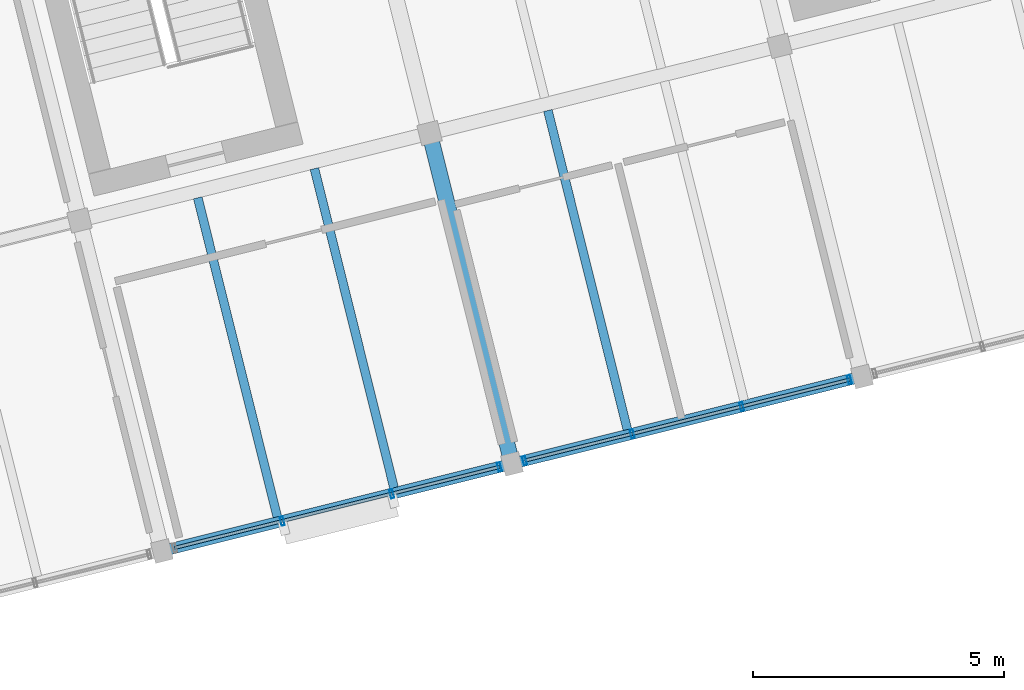
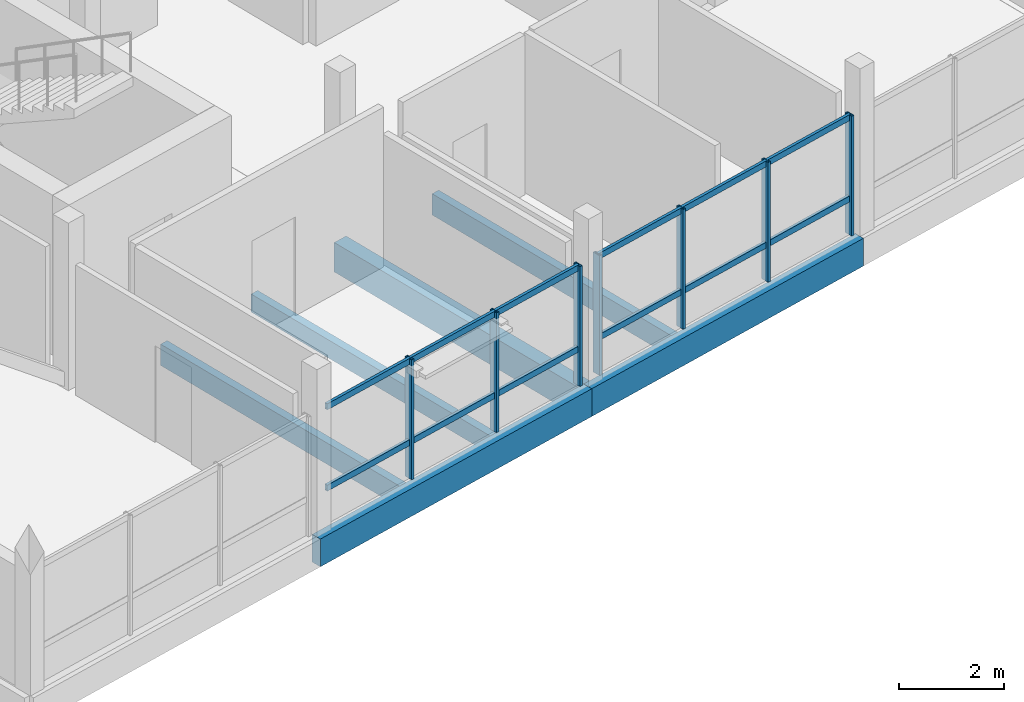
# One storey, part 4 of 27: 19 members, 6 beams, 2 elements without a shape of their own.
"""IFC4 building model written with IfcOpenShell, lengths in metres."""

from ifc_helpers import new_model, si_unit, direction, frame, origin, origin_2d, place, context, subcontext, project, spatial, rectangle, hollow_rectangle, extrude, material, layer, layer_set, material_profile, profile_set, type_object, element, aggregate, save


model = new_model("IFC4")

# Units and contexts
model_context = context("Model", 3, precision=1e-05, world=origin(), true_north=direction((0.0, 1.0)))
body_context = subcontext(model_context, "Body", "Model", "MODEL_VIEW")
ifc_project = project(units=[si_unit("LENGTHUNIT", "METRE"), si_unit("AREAUNIT", "SQUARE_METRE"), si_unit("VOLUMEUNIT", "CUBIC_METRE"), si_unit("PLANEANGLEUNIT", "RADIAN"), si_unit("MASSUNIT", "GRAM", prefix="KILO")], contexts=[model_context])

# Site, building, storey
site_placement = place(None, origin())
site = spatial("IfcSite", under=ifc_project, at=site_placement, CompositionType="ELEMENT")
building_placement = place(site_placement, origin())
building = spatial("IfcBuilding", under=site, at=building_placement, Name="Meriwether Solvik Hall", CompositionType="ELEMENT")
storey_placement = place(building_placement, frame((0.0, 0.0, 33.89990234375)))
storey = spatial("IfcBuildingStorey", under=building, at=storey_placement, Name="L08", CompositionType="ELEMENT", Elevation=33.89990234375)

# Beams
ifc_material_1 = material(Name="Glulam Douglas-Fir 24F-V8 GL28h", Category="wood")
ifc_material_profile_1 = material_profile(ifc_material_1, rectangle(XDim=0.221923828125, YDim=0.64501953125, at=origin_2d()), Name="GLB-222X645")
ifc_profile_set_1 = profile_set([ifc_material_profile_1], Name="Glulam Douglas-Fir 24F-V8 GL28h")
beam_type_1 = type_object("IfcBeamType", Name="BM-GL-222X645", PredefinedType="SPANDREL", material=ifc_profile_set_1)
for number, where, z_axis, x_axis, name in (
    (1, (75.974365234375, 43.03857421875, -0.50244140625), (0.970291911955, 0.241937193493, 0.0), (-0.241937193493, 0.970291911955, 0.0), "Tower Girder TA:T2-T3 (L08)"),
    (2, (82.96044921875, 44.780517578125, -0.50244140625), (0.970299871507, 0.241905269381, 0.0), (-0.241905269381, 0.970299871507, 0.0), "Tower Girder TA:T3-T4 (L08)"),
):
    element("IfcBeam", number, at=place(storey_placement, frame(where, z_axis=z_axis, x_axis=x_axis)), inside=storey, type_object=beam_type_1, Name=name, PredefinedType="SPANDREL", context=body_context, shape_type="SweptSolid", body=[
        extrude(rectangle(XDim=0.221923828125, YDim=0.64501953125, at=origin_2d()), origin(), (0.0, 0.0, 1.0), 7.199951171875),
    ])
ifc_material_2 = material(Name="Glulam Douglas-Fir 24F-V8 GL28h", Category="wood")
ifc_material_profile_2 = material_profile(ifc_material_2, rectangle(XDim=0.31494140625, YDim=0.68505859375, at=origin_2d()), Name="GLB-315X685")
ifc_profile_set_2 = profile_set([ifc_material_profile_2], Name="Glulam Douglas-Fir 24F-V8 GL28h")
beam_type_2 = type_object("IfcBeamType", Name="BM-GL-315X685", PredefinedType="BEAM", material=ifc_profile_set_2)
beam_1_placement = place(storey_placement, frame((82.96044921875, 44.780517578125, -0.5224609375), z_axis=(-0.241918877831, 0.970296478685, 0.0), x_axis=(-0.970296478685, -0.241918877831, 0.0)))
element("IfcBeam", 3, at=beam_1_placement, inside=storey, type_object=beam_type_2, Name="Tower Girder T3:TA-TB (L08)", PredefinedType="BEAM", context=body_context, shape_type="SweptSolid", body=[
    extrude(rectangle(XDim=0.31494140625, YDim=0.68505859375, at=origin_2d()), origin(), (0.0, 0.0, 1.0), 6.7998046875),
])

# Curtain wall, members
ifc_material_3 = material(Name="Thermally Broken Anodised Aluminium 6063-T6 and Low-E Glass", Category="aluminium")
ifc_layer_1 = layer(ifc_material_3, 0.179931640625)
ifc_layer_set_1 = layer_set([ifc_layer_1], Name="Thermally Broken Anodised Aluminium 6063-T6 and Low-E Glass")
curtain_wall_type_1 = type_object("IfcCurtainWallType", Name="CW-UNIT-G", PredefinedType="USERDEFINED", material=ifc_layer_set_1)
curtain_wall_1_placement = place(storey_placement, origin())
curtain_wall_1 = element("IfcCurtainWall", 4, at=curtain_wall_1_placement, inside=storey, type_object=curtain_wall_type_1, Name="Curtain Wall E0_B1 (L08)", ObjectType="UNITISED CURTAIN WALL", PredefinedType="USERDEFINED")
ifc_material_4 = material(Name="Anodised Aluminium 6063-T6", Category="aluminium")
ifc_material_profile_3 = material_profile(ifc_material_4, hollow_rectangle(XDim=0.06494140625, YDim=0.179931640625, WallThickness=0.00439453125, at=origin_2d()), Name="CWM-65X180")
ifc_profile_set_3 = profile_set([ifc_material_profile_3], Name="Anodised Aluminium 6063-T6")
member_type_1 = type_object("IfcMemberType", Name="CW-MUL-65X180", PredefinedType="MULLION", material=ifc_profile_set_3)
member_1_placement = place(storey_placement, frame((82.7080078125, 44.717529296875, 0.0), z_axis=(0.0, 0.0, 1.0), x_axis=(-0.970295738259, -0.241921847539, 0.0)))
member_1 = element("IfcMember", 5, at=member_1_placement, type_object=member_type_1, Name="Curtain Wall Mullion 1", PredefinedType="MULLION", context=body_context, shape_type="SweptSolid", body=[
    extrude(hollow_rectangle(XDim=0.06494140625, YDim=0.179931640625, WallThickness=0.00439453125, at=origin_2d()), origin(), (0.0, 0.0, 1.0), 2.7900390625),
])
member_2_placement = place(storey_placement, frame((80.559814453125, 44.181884765625, 0.0), z_axis=(0.0, 0.0, 1.0), x_axis=(-0.970295738259, -0.241921847539, 0.0)))
member_2 = element("IfcMember", 6, at=member_2_placement, type_object=member_type_1, Name="Curtain Wall Mullion 2", PredefinedType="MULLION", context=body_context, shape_type="SweptSolid", body=[
    extrude(hollow_rectangle(XDim=0.06494140625, YDim=0.179931640625, WallThickness=0.00439453125, at=origin_2d()), origin(), (0.0, 0.0, 1.0), 2.7900390625),
])
member_3_placement = place(storey_placement, frame((78.374755859375, 43.63720703125, 0.0), z_axis=(0.0, 0.0, 1.0), x_axis=(-0.970295738259, -0.241921847539, 0.0)))
member_3 = element("IfcMember", 7, at=member_3_placement, type_object=member_type_1, Name="Curtain Wall Mullion 3", PredefinedType="MULLION", context=body_context, shape_type="SweptSolid", body=[
    extrude(hollow_rectangle(XDim=0.06494140625, YDim=0.179931640625, WallThickness=0.00439453125, at=origin_2d()), origin(), (0.0, 0.0, 1.0), 2.7900390625),
])

ifc_material_5 = material(Name="Thermally Broken Anodised Aluminium 6063-T6 and Low-E Glass", Category="aluminium")
ifc_layer_2 = layer(ifc_material_5, 0.179931640625)
ifc_layer_set_2 = layer_set([ifc_layer_2], Name="Thermally Broken Anodised Aluminium 6063-T6 and Low-E Glass")
curtain_wall_type_2 = type_object("IfcCurtainWallType", Name="CW-UNIT-A", PredefinedType="USERDEFINED", material=ifc_layer_set_2)
curtain_wall_2_placement = place(storey_placement, origin())
curtain_wall_2 = element("IfcCurtainWall", 8, at=curtain_wall_2_placement, inside=storey, type_object=curtain_wall_type_2, Name="Curtain Wall E0_B2 (L08)", ObjectType="UNITISED CURTAIN WALL", PredefinedType="USERDEFINED")
member_4_placement = place(storey_placement, frame((89.6943359375, 46.45947265625, 0.0), z_axis=(0.0, 0.0, 1.0), x_axis=(-0.970295738259, -0.241921847539, 0.0)))
member_4 = element("IfcMember", 9, at=member_4_placement, type_object=member_type_1, Name="Curtain Wall Mullion 1", PredefinedType="MULLION", context=body_context, shape_type="SweptSolid", body=[
    extrude(hollow_rectangle(XDim=0.06494140625, YDim=0.179931640625, WallThickness=0.00439453125, at=origin_2d()), origin(), (0.0, 0.0, 1.0), 2.7900390625),
])
member_5_placement = place(storey_placement, frame((87.5458984375, 45.923828125, 0.0), z_axis=(0.0, 0.0, 1.0), x_axis=(-0.970295738259, -0.241921847539, 0.0)))
member_5 = element("IfcMember", 10, at=member_5_placement, type_object=member_type_1, Name="Curtain Wall Mullion 2", PredefinedType="MULLION", context=body_context, shape_type="SweptSolid", body=[
    extrude(hollow_rectangle(XDim=0.06494140625, YDim=0.179931640625, WallThickness=0.00439453125, at=origin_2d()), origin(), (0.0, 0.0, 1.0), 2.7900390625),
])
member_6_placement = place(storey_placement, frame((85.36083984375, 45.37890625, 0.0), z_axis=(0.0, 0.0, 1.0), x_axis=(-0.970295738259, -0.241921847539, 0.0)))
member_6 = element("IfcMember", 11, at=member_6_placement, type_object=member_type_1, Name="Curtain Wall Mullion 3", PredefinedType="MULLION", context=body_context, shape_type="SweptSolid", body=[
    extrude(hollow_rectangle(XDim=0.06494140625, YDim=0.179931640625, WallThickness=0.00439453125, at=origin_2d()), origin(), (0.0, 0.0, 1.0), 2.7900390625),
])
member_7_placement = place(storey_placement, frame((83.212646484375, 44.84326171875, 0.0), z_axis=(0.0, 0.0, 1.0), x_axis=(-0.970295738259, -0.241921847539, 0.0)))
member_7 = element("IfcMember", 12, at=member_7_placement, type_object=member_type_1, Name="Curtain Wall Mullion 4", PredefinedType="MULLION", context=body_context, shape_type="SweptSolid", body=[
    extrude(hollow_rectangle(XDim=0.06494140625, YDim=0.179931640625, WallThickness=0.00439453125, at=origin_2d()), origin(), (0.0, 0.0, 1.0), 2.7900390625),
])

# Member
ifc_material_6 = material(Name="Anodised Aluminium 6063-T6", Category="aluminium")
ifc_material_profile_4 = material_profile(ifc_material_6, hollow_rectangle(XDim=0.06494140625, YDim=0.139892578125, WallThickness=0.00439453125, at=origin_2d()), Name="CWT-65X140")
ifc_profile_set_4 = profile_set([ifc_material_profile_4], Name="Anodised Aluminium 6063-T6")
member_type_2 = type_object("IfcMemberType", Name="CW-TRN-65X140", PredefinedType="USERDEFINED", material=ifc_profile_set_4)
member_8_placement = place(storey_placement, frame((82.7080078125, 44.717529296875, 0.837158203125), z_axis=(-0.970291509385, -0.241938808, 0.0), x_axis=(0.241938808, -0.970291509385, 0.0)))
member_8 = element("IfcMember", 13, at=member_8_placement, type_object=member_type_2, Name="Curtain Wall Transom 1-sill", ObjectType="TRANSOM", PredefinedType="USERDEFINED", context=body_context, shape_type="SweptSolid", body=[
    extrude(hollow_rectangle(XDim=0.06494140625, YDim=0.139892578125, WallThickness=0.00439453125, at=origin_2d()), origin(), (0.0, 0.0, 1.0), 2.2138671875),
])

member_9_placement = place(storey_placement, frame((82.7080078125, 44.717529296875, 2.72998046875), z_axis=(-0.970291509385, -0.241938808, 0.0), x_axis=(0.241938808, -0.970291509385, 0.0)))
member_9 = element("IfcMember", 14, at=member_9_placement, type_object=member_type_2, Name="Curtain Wall Transom 1-head", ObjectType="TRANSOM", PredefinedType="USERDEFINED", context=body_context, shape_type="SweptSolid", body=[
    extrude(hollow_rectangle(XDim=0.06494140625, YDim=0.139892578125, WallThickness=0.00439453125, at=origin_2d()), origin(), (0.0, 0.0, 1.0), 2.2138671875),
])

member_10_placement = place(storey_placement, frame((80.559814453125, 44.181884765625, 0.837158203125), z_axis=(-0.970308083555, -0.241872327867, 0.0), x_axis=(0.241872327867, -0.970308083555, 0.0)))
member_10 = element("IfcMember", 15, at=member_10_placement, type_object=member_type_2, Name="Curtain Wall Transom 2-sill", ObjectType="TRANSOM", PredefinedType="USERDEFINED", context=body_context, shape_type="SweptSolid", body=[
    extrude(hollow_rectangle(XDim=0.06494140625, YDim=0.139892578125, WallThickness=0.00439453125, at=origin_2d()), origin(), (0.0, 0.0, 1.0), 2.251953125),
])

member_11_placement = place(storey_placement, frame((80.559814453125, 44.181884765625, 2.72998046875), z_axis=(-0.970308083555, -0.241872327867, 0.0), x_axis=(0.241872327867, -0.970308083555, 0.0)))
member_11 = element("IfcMember", 16, at=member_11_placement, type_object=member_type_2, Name="Curtain Wall Transom 2-head", ObjectType="TRANSOM", PredefinedType="USERDEFINED", context=body_context, shape_type="SweptSolid", body=[
    extrude(hollow_rectangle(XDim=0.06494140625, YDim=0.139892578125, WallThickness=0.00439453125, at=origin_2d()), origin(), (0.0, 0.0, 1.0), 2.251953125),
])

member_12_placement = place(storey_placement, frame((78.374755859375, 43.63720703125, 0.837158203125), z_axis=(-0.970291509385, -0.241938808, 0.0), x_axis=(0.241938808, -0.970291509385, 0.0)))
member_12 = element("IfcMember", 17, at=member_12_placement, type_object=member_type_2, Name="Curtain Wall Transom 3-sill", ObjectType="TRANSOM", PredefinedType="USERDEFINED", context=body_context, shape_type="SweptSolid", body=[
    extrude(hollow_rectangle(XDim=0.06494140625, YDim=0.139892578125, WallThickness=0.00439453125, at=origin_2d()), origin(), (0.0, 0.0, 1.0), 2.2138671875),
])

member_13_placement = place(storey_placement, frame((78.374755859375, 43.63720703125, 2.72998046875), z_axis=(-0.970291509385, -0.241938808, 0.0), x_axis=(0.241938808, -0.970291509385, 0.0)))
member_13 = element("IfcMember", 18, at=member_13_placement, type_object=member_type_2, Name="Curtain Wall Transom 3-head", ObjectType="TRANSOM", PredefinedType="USERDEFINED", context=body_context, shape_type="SweptSolid", body=[
    extrude(hollow_rectangle(XDim=0.06494140625, YDim=0.139892578125, WallThickness=0.00439453125, at=origin_2d()), origin(), (0.0, 0.0, 1.0), 2.2138671875),
])

aggregate(curtain_wall_1, [member_1, member_2, member_3, member_8, member_9, member_10, member_11, member_12, member_13])

member_14_placement = place(storey_placement, frame((89.6943359375, 46.45947265625, 0.837158203125), z_axis=(-0.970297963107, -0.241912923984, 0.0), x_axis=(0.241912923984, -0.970297963107, 0.0)))
member_14 = element("IfcMember", 19, at=member_14_placement, type_object=member_type_2, Name="Curtain Wall Transom 1-sill", ObjectType="TRANSOM", PredefinedType="USERDEFINED", context=body_context, shape_type="SweptSolid", body=[
    extrude(hollow_rectangle(XDim=0.06494140625, YDim=0.139892578125, WallThickness=0.00439453125, at=origin_2d()), origin(), (0.0, 0.0, 1.0), 2.214111328125),
])

member_15_placement = place(storey_placement, frame((89.6943359375, 46.45947265625, 2.72998046875), z_axis=(-0.970297963107, -0.241912923984, 0.0), x_axis=(0.241912923984, -0.970297963107, 0.0)))
member_15 = element("IfcMember", 20, at=member_15_placement, type_object=member_type_2, Name="Curtain Wall Transom 1-head", ObjectType="TRANSOM", PredefinedType="USERDEFINED", context=body_context, shape_type="SweptSolid", body=[
    extrude(hollow_rectangle(XDim=0.06494140625, YDim=0.139892578125, WallThickness=0.00439453125, at=origin_2d()), origin(), (0.0, 0.0, 1.0), 2.214111328125),
])

member_16_placement = place(storey_placement, frame((87.5458984375, 45.923828125, 0.837158203125), z_axis=(-0.970282635026, -0.241974395685, 0.0), x_axis=(0.241974395685, -0.970282635026, 0.0)))
member_16 = element("IfcMember", 21, at=member_16_placement, type_object=member_type_2, Name="Curtain Wall Transom 2-sill", ObjectType="TRANSOM", PredefinedType="USERDEFINED", context=body_context, shape_type="SweptSolid", body=[
    extrude(hollow_rectangle(XDim=0.06494140625, YDim=0.139892578125, WallThickness=0.00439453125, at=origin_2d()), origin(), (0.0, 0.0, 1.0), 2.251953125),
])

member_17_placement = place(storey_placement, frame((87.5458984375, 45.923828125, 2.72998046875), z_axis=(-0.970282635026, -0.241974395685, 0.0), x_axis=(0.241974395685, -0.970282635026, 0.0)))
member_17 = element("IfcMember", 22, at=member_17_placement, type_object=member_type_2, Name="Curtain Wall Transom 2-head", ObjectType="TRANSOM", PredefinedType="USERDEFINED", context=body_context, shape_type="SweptSolid", body=[
    extrude(hollow_rectangle(XDim=0.06494140625, YDim=0.139892578125, WallThickness=0.00439453125, at=origin_2d()), origin(), (0.0, 0.0, 1.0), 2.251953125),
])

member_18_placement = place(storey_placement, frame((85.36083984375, 45.37890625, 0.837158203125), z_axis=(-0.970291509385, -0.241938808, 0.0), x_axis=(0.241938808, -0.970291509385, 0.0)))
member_18 = element("IfcMember", 23, at=member_18_placement, type_object=member_type_2, Name="Curtain Wall Transom 3-sill", ObjectType="TRANSOM", PredefinedType="USERDEFINED", context=body_context, shape_type="SweptSolid", body=[
    extrude(hollow_rectangle(XDim=0.06494140625, YDim=0.139892578125, WallThickness=0.00439453125, at=origin_2d()), origin(), (0.0, 0.0, 1.0), 2.2138671875),
])

member_19_placement = place(storey_placement, frame((85.36083984375, 45.37890625, 2.72998046875), z_axis=(-0.970291509385, -0.241938808, 0.0), x_axis=(0.241938808, -0.970291509385, 0.0)))
member_19 = element("IfcMember", 24, at=member_19_placement, type_object=member_type_2, Name="Curtain Wall Transom 3-head", ObjectType="TRANSOM", PredefinedType="USERDEFINED", context=body_context, shape_type="SweptSolid", body=[
    extrude(hollow_rectangle(XDim=0.06494140625, YDim=0.139892578125, WallThickness=0.00439453125, at=origin_2d()), origin(), (0.0, 0.0, 1.0), 2.2138671875),
])

aggregate(curtain_wall_2, [member_4, member_5, member_6, member_7, member_14, member_15, member_16, member_17, member_18, member_19])

# Beams
ifc_material_7 = material(Name="Glulam Douglas-Fir 24F-V8 GL28h", Category="wood")
ifc_material_profile_5 = material_profile(ifc_material_7, rectangle(XDim=0.175048828125, YDim=0.419921875, at=origin_2d()), Name="GLJ-175X420")
ifc_profile_set_5 = profile_set([ifc_material_profile_5], Name="Glulam Douglas-Fir 24F-V8 GL28h")
beam_type_3 = type_object("IfcBeamType", Name="JST-GL-175X420", PredefinedType="JOIST", material=ifc_profile_set_5)
beam_2_placement = place(storey_placement, frame((80.60595703125, 44.302734375, -0.389892578125), z_axis=(-0.241931575219, 0.970293312824, 0.0), x_axis=(-0.970293312824, -0.241931575219, 0.0)))
element("IfcBeam", 25, at=beam_2_placement, inside=storey, type_object=beam_type_3, Name="Glulam Floor Joist T2/TA-J2 (L08)", PredefinedType="JOIST", context=body_context, shape_type="SweptSolid", body=[
    extrude(rectangle(XDim=0.175048828125, YDim=0.419921875, at=origin_2d()), origin(), (0.0, 0.0, 1.0), 6.5625),
])
ifc_material_8 = material(Name="Glulam Douglas-Fir 24F-V8 GL28h", Category="wood")
ifc_material_profile_6 = material_profile(ifc_material_8, rectangle(XDim=0.175048828125, YDim=0.4951171875, at=origin_2d()), Name="GLJ-175X495")
ifc_profile_set_6 = profile_set([ifc_material_profile_6], Name="Glulam Douglas-Fir 24F-V8 GL28h")
beam_type_4 = type_object("IfcBeamType", Name="JST-GL-175X495", PredefinedType="JOIST", material=ifc_profile_set_6)
for number, where, z_axis, x_axis, name in (
    (26, (78.27734375, 43.72216796875, -0.427490234375), (-0.241931575219, 0.970293312824, 0.0), (-0.970293312824, -0.241931575219, 0.0), "Glulam Floor Joist T2/TA-J1 (L08)"),
    (27, (85.263427734375, 45.4638671875, -0.427490234375), (-0.241922842305, 0.970295490235, 0.0), (-0.970295490235, -0.241922842305, 0.0), "Glulam Floor Joist T3/TA-J1 (L08)"),
):
    element("IfcBeam", number, at=place(storey_placement, frame(where, z_axis=z_axis, x_axis=x_axis)), inside=storey, type_object=beam_type_4, Name=name, PredefinedType="JOIST", context=body_context, shape_type="SweptSolid", body=[
        extrude(rectangle(XDim=0.175048828125, YDim=0.4951171875, at=origin_2d()), origin(), (0.0, 0.0, 1.0), 6.5625),
    ])

save(model, "model.ifc")
